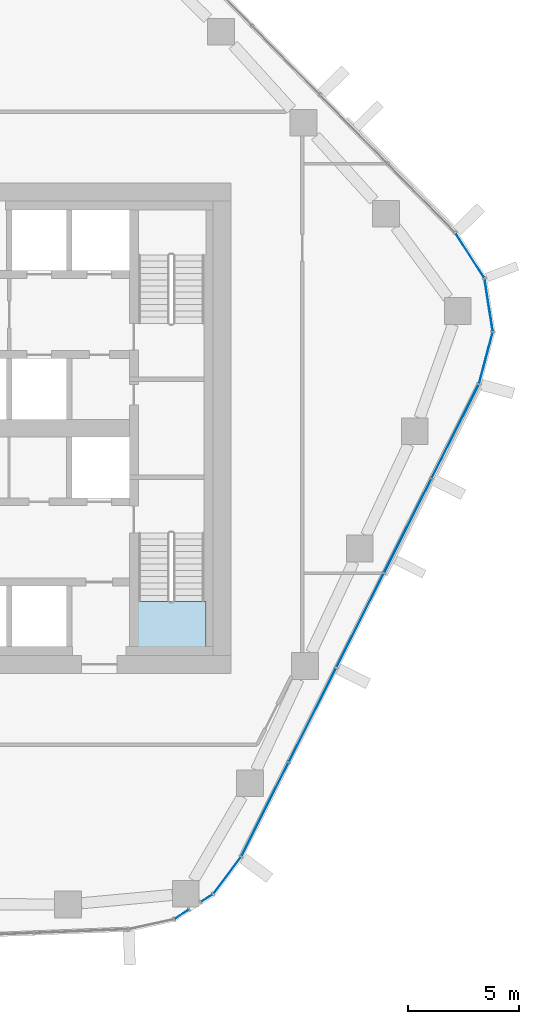
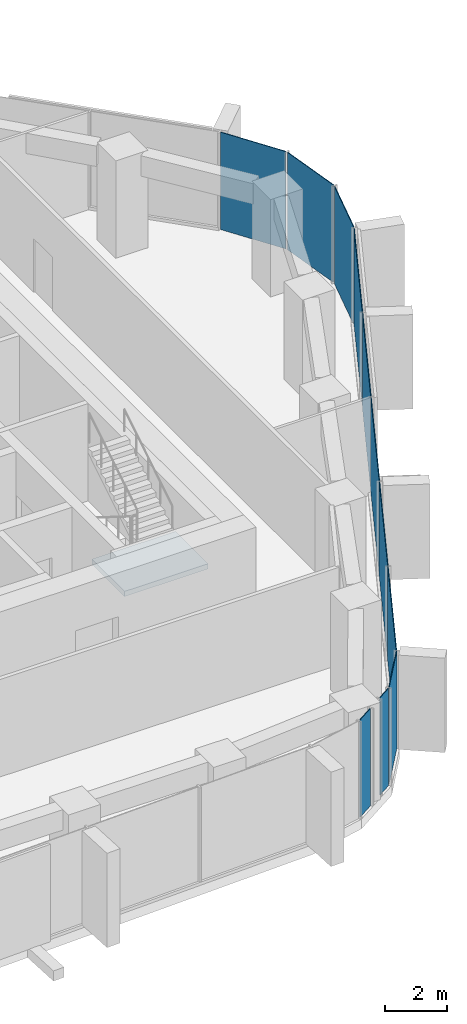
# One storey, part 10 of 18: 11 plates, 1 slab, 5 elements without a shape of their own.
"""IFC4 building model written with IfcOpenShell, lengths in metres."""

import ifcopenshell
import ifcopenshell.guid

model = None  # the IFC model being written
_history = None  # IfcOwnerHistory: only IFC2X3 demands one
_inside = {}  # id of a spatial element -> (the spatial element, [elements in it])
_under = {}  # id of a project, library or spatial element -> (it, [spatial elements below it])
_declared = {}  # id of a project -> (the project, [libraries it declares])
_typed = {}  # id of a type object -> (the type object, [elements of that type])
_made_of = {}  # id of a material, layer set ... -> (it, [elements and type objects made of it])


def new_model(schema):
    """Start an empty IFC model of exactly this schema.

    Asked for "IFC4X3", IfcOpenShell would pick the latest addendum, in which some entities
    have other attributes; the version numbers below select the first issue.
    IFC2X3 requires an IfcOwnerHistory on every rooted entity: one is made here for all.
    """
    global model, _history
    if schema == "IFC4X3":
        model = ifcopenshell.file(schema_version=(4, 3, 0, 0))
    else:
        model = ifcopenshell.file(schema=schema)
    _inside.clear()
    _under.clear()
    _declared.clear()
    _typed.clear()
    _made_of.clear()
    _history = None
    if model.schema == "IFC2X3":
        org = make("IfcOrganization", Name="unknown")
        user = make(
            "IfcPersonAndOrganization",
            ThePerson=make("IfcPerson", FamilyName="unknown"),
            TheOrganization=org,
        )
        app = make(
            "IfcApplication",
            ApplicationDeveloper=org,
            Version="unknown",
            ApplicationFullName="unknown",
            ApplicationIdentifier="unknown",
        )
        _history = make(
            "IfcOwnerHistory",
            OwningUser=user,
            OwningApplication=app,
            ChangeAction="ADDED",
            CreationDate=0,
        )
    return model


def make(cls, **values):
    """One entity of the class cls with the attributes given. An attribute that is None is left unset."""
    return model.create_entity(
        cls, **{name: value for name, value in values.items() if value is not None}
    )


def rooted(cls, **values):
    """An entity with a GlobalId (a new one), such as an element, a storey or a relation."""
    return make(cls, GlobalId=ifcopenshell.guid.new(), OwnerHistory=_history, **values)


def si_unit(unit_type, name, prefix=None):
    """IfcSIUnit, for example si_unit("LENGTHUNIT", "METRE", prefix="MILLI")."""
    return make("IfcSIUnit", UnitType=unit_type, Prefix=prefix, Name=name)


def assignment(units):
    """IfcUnitAssignment: the units of a project."""
    return None if units is None else make("IfcUnitAssignment", Units=units)


def point(xyz):
    """IfcCartesianPoint."""
    return None if xyz is None else make("IfcCartesianPoint", Coordinates=xyz)


def direction(xyz):
    """IfcDirection."""
    return None if xyz is None else make("IfcDirection", DirectionRatios=xyz)


def frame(location, z_axis=None, x_axis=None):
    """IfcAxis2Placement3D, a coordinate frame: its origin and axes. An axis left out is left unset."""
    return make(
        "IfcAxis2Placement3D",
        Location=point(location),
        Axis=direction(z_axis),
        RefDirection=direction(x_axis),
    )


def frame_2d(location, x_axis=None):
    """IfcAxis2Placement2D, a coordinate frame in the plane: its origin and x axis."""
    return make(
        "IfcAxis2Placement2D", Location=point(location), RefDirection=direction(x_axis)
    )


def origin():
    """The frame at (0, 0, 0) with its axes left unset."""
    return frame((0.0, 0.0, 0.0))


def origin_2d():
    """The frame at (0, 0) in the plane with its x axis left unset."""
    return frame_2d((0.0, 0.0))


def place(relative_to, where):
    """IfcLocalPlacement: puts the frame where relative to a parent placement (None: the world)."""
    return make(
        "IfcLocalPlacement", PlacementRelTo=relative_to, RelativePlacement=where
    )


def context(
    kind, dimensions, precision=None, world=None, true_north=None, identifier=None
):
    """IfcGeometricRepresentationContext, for example the 3D "Model" context."""
    return make(
        "IfcGeometricRepresentationContext",
        ContextIdentifier=identifier,
        ContextType=kind,
        CoordinateSpaceDimension=dimensions,
        Precision=precision,
        WorldCoordinateSystem=world,
        TrueNorth=true_north,
    )


def subcontext(parent, identifier, kind, view, scale=None):
    """IfcGeometricRepresentationSubContext, for example "Body" below "Model"."""
    return make(
        "IfcGeometricRepresentationSubContext",
        ContextIdentifier=identifier,
        ContextType=kind,
        ParentContext=parent,
        TargetScale=scale,
        TargetView=view,
    )


def project(units=None, contexts=None):
    """IfcProject with its units and contexts."""
    return rooted(
        "IfcProject",
        Name="project",
        RepresentationContexts=contexts,
        UnitsInContext=assignment(units),
    )


def spatial(cls, under=None, at=None, **own):
    """A site, building, storey or space (cls), placed at a placement, below another one or the project."""
    s = rooted(cls, ObjectPlacement=at, **own)
    if under is not None:
        _under.setdefault(under.id(), (under, []))[1].append(s)
    return s


def polyline(points):
    """IfcPolyline through the points."""
    return make("IfcPolyline", Points=[point(p) for p in points])


def profile(cls, at=None, kind="AREA", **sizes):
    """A parametric profile (cls). Its sizes go by their IFC names, for example OverallWidth=200.0."""
    return make(cls, ProfileType=kind, Position=at, **sizes)


def rectangle(**sizes):
    """IfcRectangleProfileDef."""
    return profile("IfcRectangleProfileDef", **sizes)


def outline(outer, holes=None, kind="AREA"):
    """IfcArbitraryClosedProfileDef: a profile drawn as a closed curve; with holes, ...WithVoids."""
    if holes is None:
        return make("IfcArbitraryClosedProfileDef", ProfileType=kind, OuterCurve=outer)
    return make(
        "IfcArbitraryProfileDefWithVoids",
        ProfileType=kind,
        OuterCurve=outer,
        InnerCurves=holes,
    )


def extrude(swept, where, along, depth):
    """IfcExtrudedAreaSolid: the profile swept, set in the frame where, extruded along a direction by depth."""
    return make(
        "IfcExtrudedAreaSolid",
        SweptArea=swept,
        Position=where,
        ExtrudedDirection=direction(along),
        Depth=depth,
    )


def shape(context_of_items, identifier, shape_type, items):
    """IfcShapeRepresentation: the items that make up one representation, for example the "Body"."""
    return make(
        "IfcShapeRepresentation",
        ContextOfItems=context_of_items,
        RepresentationIdentifier=identifier,
        RepresentationType=shape_type,
        Items=items,
    )


def material(Name=None, Category=None):
    """IfcMaterial."""
    return make("IfcMaterial", Name=Name, Category=Category)


def layer(
    of_material, thickness, ventilated=None, Name=None, Category=None, Priority=None
):
    """IfcMaterialLayer: one layer of a wall or slab, of a material (None: an air gap)."""
    return make(
        "IfcMaterialLayer",
        Material=of_material,
        LayerThickness=thickness,
        IsVentilated=ventilated,
        Name=Name,
        Category=Category,
        Priority=Priority,
    )


def layer_set(layers, Name=None):
    """IfcMaterialLayerSet."""
    return make("IfcMaterialLayerSet", MaterialLayers=layers, LayerSetName=Name)


def made_of(thing, what):
    """Note that an element or type object is made of a material, layer set ...; save() writes the relation."""
    if what is not None:
        _made_of.setdefault(what.id(), (what, []))[1].append(thing)
    return thing


def type_object(cls, material=None, **own):
    """A type object (cls), such as IfcWallType, which elements share."""
    return made_of(rooted(cls, **own), material)


def element(
    cls,
    number,
    at=None,
    inside=None,
    cuts=None,
    type_object=None,
    material=None,
    context=None,
    identifier="Body",
    shape_type=None,
    held_by="IfcProductDefinitionShape",
    body=None,
    shapes=None,
    **own,
):
    """One element of the class cls, such as IfcWall. Its Tag is "e" and its number.

    at: its placement. inside: the storey or other place that contains it. cuts: it is an
    opening in that element (IfcRelVoidsElement). A single representation is given by context,
    identifier, shape_type and body (its items); several are given by shapes. held_by: the class
    of the entity that holds the representations. save() writes the other relations.
    """
    e = rooted(cls, Tag="e%d" % number, ObjectPlacement=at, **own)
    if body is not None:
        shapes = [shape(context, identifier, shape_type, body)]
    if shapes is not None:
        e.Representation = make(held_by, Representations=shapes)
    if inside is not None:
        _inside.setdefault(inside.id(), (inside, []))[1].append(e)
    if cuts is not None:
        rooted(
            "IfcRelVoidsElement", RelatingBuildingElement=cuts, RelatedOpeningElement=e
        )
    if type_object is not None:
        _typed.setdefault(type_object.id(), (type_object, []))[1].append(e)
    return made_of(e, material)


def aggregate(whole, parts):
    """IfcRelAggregates: a whole, such as a stair, and the parts it consists of."""
    return rooted("IfcRelAggregates", RelatingObject=whole, RelatedObjects=parts)


def save(model, path):
    """Write the relations noted so far, then the file.

    IfcRelAggregates (storeys below a building ...), IfcRelContainedInSpatialStructure (elements
    in a storey), IfcRelDefinesByType, IfcRelAssociatesMaterial and IfcRelDeclares: one each for
    every whole, place, type object, material and project.
    """
    for whole, parts in _under.values():
        aggregate(whole, parts)
    for where, things in _inside.values():
        rooted(
            "IfcRelContainedInSpatialStructure",
            RelatedElements=things,
            RelatingStructure=where,
        )
    for kind, things in _typed.values():
        rooted("IfcRelDefinesByType", RelatedObjects=things, RelatingType=kind)
    for what, things in _made_of.values():
        rooted("IfcRelAssociatesMaterial", RelatedObjects=things, RelatingMaterial=what)
    for by, libraries in _declared.values():
        rooted("IfcRelDeclares", RelatingContext=by, RelatedDefinitions=libraries)
    model.write(path)


model = new_model("IFC4")

# Units and contexts
model_context = context("Model", 3, precision=1e-05, world=origin(), true_north=direction((0.0, 1.0)))
body_context = subcontext(model_context, "Body", "Model", "MODEL_VIEW")
ifc_project = project(units=[si_unit("LENGTHUNIT", "METRE"), si_unit("AREAUNIT", "SQUARE_METRE"), si_unit("VOLUMEUNIT", "CUBIC_METRE"), si_unit("PLANEANGLEUNIT", "RADIAN"), si_unit("MASSUNIT", "GRAM", prefix="KILO")], contexts=[model_context])

# Site, building, storey
site_placement = place(None, origin())
site = spatial("IfcSite", under=ifc_project, at=site_placement, CompositionType="ELEMENT")
building_placement = place(site_placement, origin())
building = spatial("IfcBuilding", under=site, at=building_placement, Name="Dongbaek Canopy Tower", CompositionType="ELEMENT")
storey_placement = place(building_placement, frame((0.0, 0.0, 203.0)))
storey = spatial("IfcBuildingStorey", under=building, at=storey_placement, Name="L42", CompositionType="ELEMENT", Elevation=203.0)

# Curtain wall, plates
ifc_material_1 = material(Name="Aluminium 6063-T6 pale anodised", Category="aluminium")
ifc_layer_1 = layer(ifc_material_1, 0.199951171875)
ifc_layer_set_1 = layer_set([ifc_layer_1], Name="CW-1 unitised tower curtain wall")
curtain_wall_type = type_object("IfcCurtainWallType", Name="CW-1 unitised tower curtain wall", PredefinedType="NOTDEFINED", material=ifc_layer_set_1)
curtain_wall_1_placement = place(storey_placement, origin())
curtain_wall_1 = element("IfcCurtainWall", 1, at=curtain_wall_1_placement, inside=storey, type_object=curtain_wall_type, Name="CW-1 curtain wall K0.1", PredefinedType="NOTDEFINED")
ifc_material_2 = material(Name="Clear laminated glass", Category="glass")
ifc_layer_2 = layer(ifc_material_2, 0.028076171875)
ifc_layer_set_2 = layer_set([ifc_layer_2], Name="CW-1 glazed panel 28")
plate_type = type_object("IfcPlateType", Name="CW-1 glazed panel 28", PredefinedType="CURTAIN_PANEL", material=ifc_layer_set_2)
plate_1_placement = place(storey_placement, frame((25.443603515625, 3.149658203125, 0.0), z_axis=(0.0, 0.0, 1.0), x_axis=(0.256292735815, 0.966599210412, 0.0)))
plate_1 = element("IfcPlate", 2, at=plate_1_placement, type_object=plate_type, Name="CW-1 panel K0.1.1.1", PredefinedType="CURTAIN_PANEL", context=body_context, shape_type="SweptSolid", body=[
    extrude(rectangle(XDim=2.35107421875, YDim=0.028076171875, at=origin_2d()), origin(), (0.0, 0.0, 1.0), 3.820068359375),
])
plate_2_placement = place(storey_placement, frame((25.56884765625, 5.5244140625, 0.0), z_axis=(0.0, 0.0, 1.0), x_axis=(-0.154235837311, 0.988034061401, 0.0)))
plate_2 = element("IfcPlate", 3, at=plate_2_placement, type_object=plate_type, Name="CW-1 panel K0.1.2.1", PredefinedType="CURTAIN_PANEL", context=body_context, shape_type="SweptSolid", body=[
    extrude(rectangle(XDim=2.340576171875, YDim=0.028076171875, at=origin_2d()), origin(), (0.0, 0.0, 1.0), 3.820068359375),
])
plate_3_placement = place(storey_placement, frame((24.725830078125, 7.748046875, 0.0), z_axis=(0.0, 0.0, 1.0), x_axis=(-0.538699608566, 0.842497912004, 0.0)))
plate_3 = element("IfcPlate", 4, at=plate_3_placement, type_object=plate_type, Name="CW-1 panel K0.1.3.1", PredefinedType="CURTAIN_PANEL", context=body_context, shape_type="SweptSolid", body=[
    extrude(rectangle(XDim=2.35107421875, YDim=0.028076171875, at=origin_2d()), origin(), (0.0, 0.0, 1.0), 3.820068359375),
])
aggregate(curtain_wall_1, [plate_1, plate_2, plate_3])

# Curtain wall, plate
curtain_wall_2_placement = place(storey_placement, origin())
curtain_wall_2 = element("IfcCurtainWall", 5, at=curtain_wall_2_placement, inside=storey, type_object=curtain_wall_type, Name="CW-1 curtain wall K5.1a", PredefinedType="NOTDEFINED")
plate_4_placement = place(storey_placement, frame((11.794189453125, -21.813232421875, 0.0), z_axis=(0.0, 0.0, 1.0), x_axis=(0.840853052561, 0.541263470039, 0.0)))
plate_4 = element("IfcPlate", 6, at=plate_4_placement, type_object=plate_type, Name="CW-1 panel K5.1a.2.1", PredefinedType="CURTAIN_PANEL", context=body_context, shape_type="SweptSolid", body=[
    extrude(rectangle(XDim=0.72509765625, YDim=0.028076171875, at=origin_2d()), origin(), (0.0, 0.0, 1.0), 3.820068359375),
])
aggregate(curtain_wall_2, [plate_4])

# Curtain wall, plates
curtain_wall_3_placement = place(storey_placement, origin())
curtain_wall_3 = element("IfcCurtainWall", 7, at=curtain_wall_3_placement, inside=storey, type_object=curtain_wall_type, Name="CW-1 curtain wall K5.1b", PredefinedType="NOTDEFINED")
plate_5_placement = place(storey_placement, frame((12.92431640625, -21.0859375, 0.0), z_axis=(0.0, 0.0, 1.0), x_axis=(0.840853052561, 0.541263470039, 0.0)))
plate_5 = element("IfcPlate", 8, at=plate_5_placement, type_object=plate_type, Name="CW-1 panel K5.1b.1.1", PredefinedType="CURTAIN_PANEL", context=body_context, shape_type="SweptSolid", body=[
    extrude(rectangle(XDim=0.58642578125, YDim=0.028076171875, at=origin_2d()), origin(), (0.0, 0.0, 1.0), 3.820068359375),
])
plate_6_placement = place(storey_placement, frame((13.833984375, -20.067626953125, 0.0), z_axis=(0.0, 0.0, 1.0), x_axis=(0.60020334568, 0.799847450352, 0.0)))
plate_6 = element("IfcPlate", 9, at=plate_6_placement, type_object=plate_type, Name="CW-1 panel K5.1b.2.1", PredefinedType="CURTAIN_PANEL", context=body_context, shape_type="SweptSolid", body=[
    extrude(rectangle(XDim=2.008544921875, YDim=0.028076171875, at=origin_2d()), origin(), (0.0, 0.0, 1.0), 3.820068359375),
])
aggregate(curtain_wall_3, [plate_5, plate_6])

curtain_wall_4_placement = place(storey_placement, origin())
curtain_wall_4 = element("IfcCurtainWall", 10, at=curtain_wall_4_placement, inside=storey, type_object=curtain_wall_type, Name="CW-1 curtain wall F5.1", PredefinedType="NOTDEFINED")
plate_7_placement = place(storey_placement, frame((15.52783203125, -17.112548828125, 0.1201171875), z_axis=(0.0, 0.0, 1.0), x_axis=(0.449498908716, 0.893280880274, 0.0)))
plate_7 = element("IfcPlate", 11, at=plate_7_placement, type_object=plate_type, Name="CW-1 panel F5.1.1.1", PredefinedType="CURTAIN_PANEL", context=body_context, shape_type="SweptSolid", body=[
    extrude(rectangle(XDim=4.658203125, YDim=0.028076171875, at=origin_2d()), origin(), (0.0, 0.0, 1.0), 3.699951171875),
])
plate_8_placement = place(storey_placement, frame((17.661376953125, -12.872314453125, 0.1201171875), z_axis=(0.0, 0.0, 1.0), x_axis=(0.449498908716, 0.893280880274, 0.0)))
plate_8 = element("IfcPlate", 12, at=plate_8_placement, type_object=plate_type, Name="CW-1 panel F5.1.2.1", PredefinedType="CURTAIN_PANEL", context=body_context, shape_type="SweptSolid", body=[
    extrude(rectangle(XDim=4.667236328125, YDim=0.028076171875, at=origin_2d()), origin(), (0.0, 0.0, 1.0), 3.699951171875),
])
plate_9_placement = place(storey_placement, frame((19.797119140625, -8.628173828125, 0.1201171875), z_axis=(0.0, 0.0, 1.0), x_axis=(0.449498908716, 0.893280880274, 0.0)))
plate_9 = element("IfcPlate", 13, at=plate_9_placement, type_object=plate_type, Name="CW-1 panel F5.1.3.1", PredefinedType="CURTAIN_PANEL", context=body_context, shape_type="SweptSolid", body=[
    extrude(rectangle(XDim=4.667236328125, YDim=0.028076171875, at=origin_2d()), origin(), (0.0, 0.0, 1.0), 3.699951171875),
])
plate_10_placement = place(storey_placement, frame((21.932861328125, -4.384033203125, 0.1201171875), z_axis=(0.0, 0.0, 1.0), x_axis=(0.449498908716, 0.893280880274, 0.0)))
plate_10 = element("IfcPlate", 14, at=plate_10_placement, type_object=plate_type, Name="CW-1 panel F5.1.4.1", PredefinedType="CURTAIN_PANEL", context=body_context, shape_type="SweptSolid", body=[
    extrude(rectangle(XDim=4.667236328125, YDim=0.028076171875, at=origin_2d()), origin(), (0.0, 0.0, 1.0), 3.699951171875),
])
plate_11_placement = place(storey_placement, frame((24.066162109375, -0.14453125, 0.1201171875), z_axis=(0.0, 0.0, 1.0), x_axis=(0.449498908716, 0.893280880274, 0.0)))
plate_11 = element("IfcPlate", 15, at=plate_11_placement, type_object=plate_type, Name="CW-1 panel F5.1.5.1", PredefinedType="CURTAIN_PANEL", context=body_context, shape_type="SweptSolid", body=[
    extrude(rectangle(XDim=4.65673828125, YDim=0.028076171875, at=origin_2d()), origin(), (0.0, 0.0, 1.0), 3.699951171875),
])
aggregate(curtain_wall_4, [plate_7, plate_8, plate_9, plate_10, plate_11])

# Stair, slab
ifc_material_3 = material(Name="Concrete C40/50", Category="concrete")
stair_type = type_object("IfcStairType", Name="Core exit stair", PredefinedType="HALF_TURN_STAIR", material=ifc_material_3)
stair_placement = place(storey_placement, origin())
stair = element("IfcStair", 16, at=stair_placement, inside=storey, type_object=stair_type, Name="L42 exit stair B", PredefinedType="HALF_TURN_STAIR")
ifc_material_4 = material(Name="Concrete C40/50", Category="concrete")
ifc_layer_3 = layer(ifc_material_4, 0.199951171875)
ifc_layer_set_3 = layer_set([ifc_layer_3], Name="Core stair landing 200")
slab_type = type_object("IfcSlabType", Name="Core stair landing 200", PredefinedType="LANDING", material=ifc_layer_set_3)
slab_placement = place(storey_placement, frame((0.0, 0.0, 1.89990234375)))
slab = element("IfcSlab", 17, at=slab_placement, type_object=slab_type, Name="ST-B landing 1", PredefinedType="LANDING", context=body_context, shape_type="SweptSolid", body=[
    extrude(outline(polyline([(9.77490234375, -7.780029296875), (9.77490234375, -9.875), (12.875, -9.875), (12.875, -7.780029296875), (9.77490234375, -7.780029296875)])), origin(), (0.0, 0.0, 1.0), 0.2001953125),
])
aggregate(stair, [slab])

save(model, "model.ifc")
